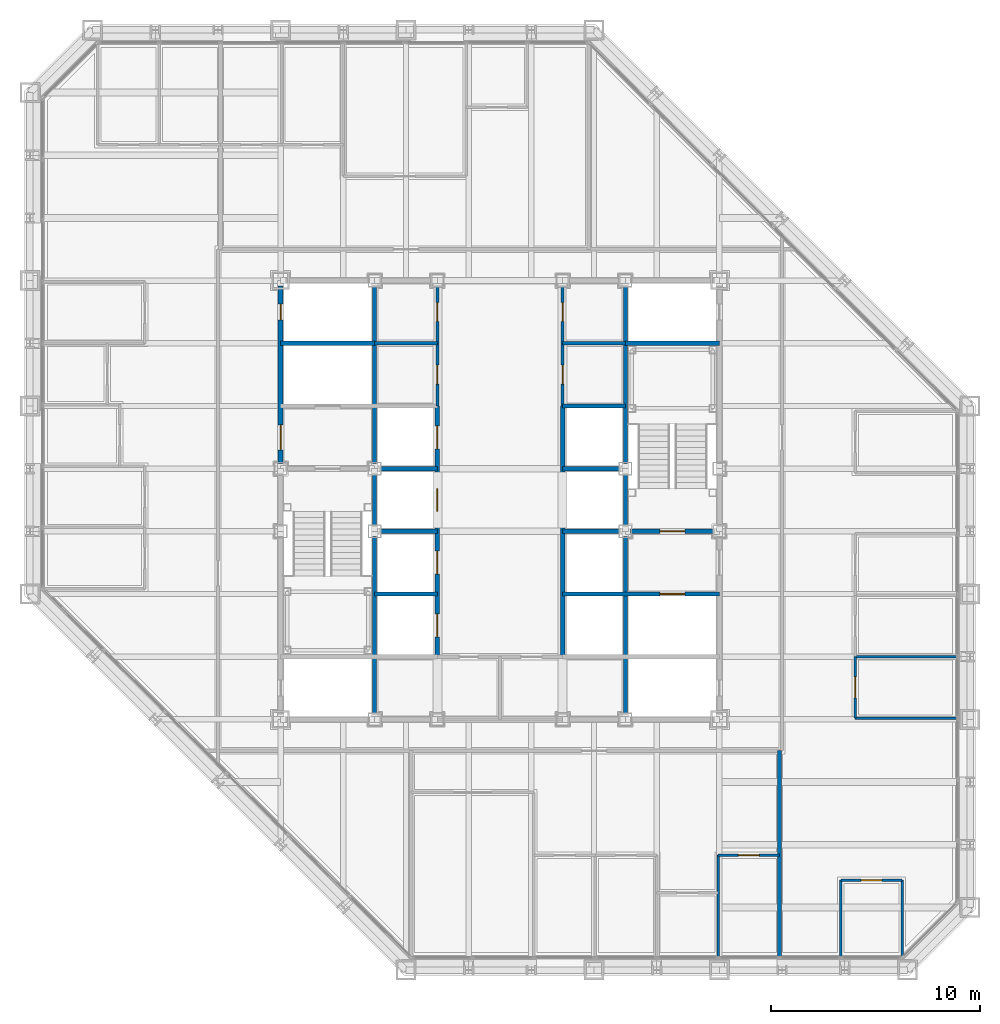
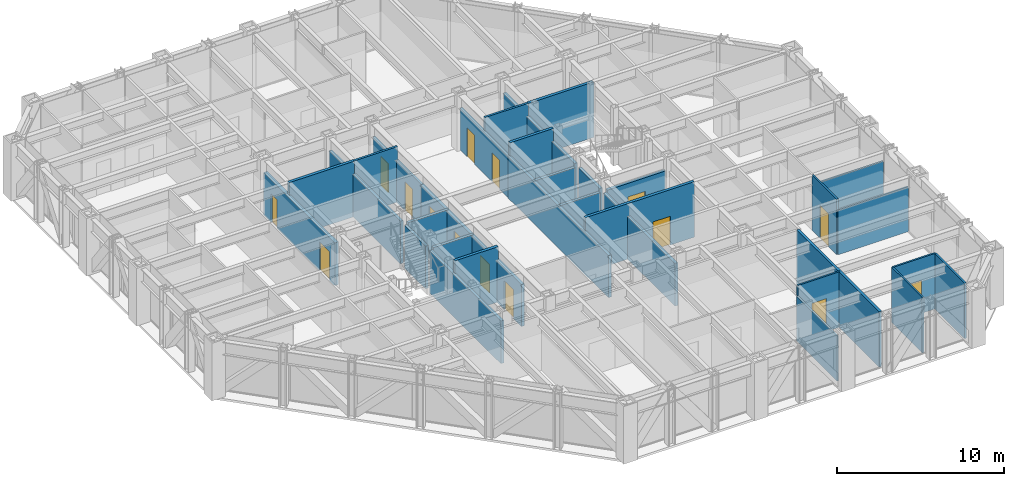
# One storey, part 11 of 16: 32 walls, 15 doors, 15 openings.
"""IFC4 building model written with IfcOpenShell, lengths in metres."""

from ifc_helpers import new_model, si_unit, direction, frame, frame_2d, origin, place, context, subcontext, project, spatial, rectangle, extrude, material, layer, layer_set, type_object, element, fill, save


model = new_model("IFC4")

# Units and contexts
model_context = context("Model", 3, precision=1e-05, world=origin(), true_north=direction((0.0, 1.0)))
body_context = subcontext(model_context, "Body", "Model", "MODEL_VIEW")
ifc_project = project(units=[si_unit("LENGTHUNIT", "METRE"), si_unit("AREAUNIT", "SQUARE_METRE"), si_unit("VOLUMEUNIT", "CUBIC_METRE"), si_unit("PLANEANGLEUNIT", "RADIAN"), si_unit("MASSUNIT", "GRAM", prefix="KILO")], contexts=[model_context])

# Site, building, storey
site_placement = place(None, origin())
site = spatial("IfcSite", under=ifc_project, at=site_placement, CompositionType="ELEMENT")
building_placement = place(site_placement, origin())
building = spatial("IfcBuilding", under=site, at=building_placement, Name="Chuquiago Exchange Tower", CompositionType="ELEMENT")
storey_placement = place(building_placement, frame((0.0, 0.0, 140.39990234375)))
storey = spatial("IfcBuildingStorey", under=building, at=storey_placement, Name="L30", CompositionType="ELEMENT", Elevation=140.39990234375)

# Wall, openings, doors
ifc_material_1 = material(Name="Concrete masonry, fully grouted", Category="masonry")
ifc_layer_1 = layer(ifc_material_1, 0.25)
ifc_layer_set_1 = layer_set([ifc_layer_1], Name="W1 core wall 250")
wall_type_1 = type_object("IfcWallType", Name="W1 core wall 250", PredefinedType="SOLIDWALL", material=ifc_layer_set_1)
wall_1_placement = place(storey_placement, frame((12.0, 24.25, 0.0), z_axis=(0.0, 0.0, 1.0), x_axis=(0.0, 1.0, 0.0)))
wall_1 = element("IfcWall", 1, at=wall_1_placement, inside=storey, type_object=wall_type_1, Name="CW-L30-00-2", PredefinedType="SOLIDWALL", context=body_context, shape_type="SweptSolid", body=[
    extrude(rectangle(XDim=8.5, YDim=0.25, at=frame_2d((4.25, 0.0))), origin(), (0.0, 0.0, 1.0), 3.113037109375),
])
opening_1_placement = place(wall_1_placement, frame((0.64990234375, 0.0, 0.0)))
opening_1 = element("IfcOpeningElement", 2, at=opening_1_placement, cuts=wall_1, Name="Opening L30-002", PredefinedType="OPENING", context=body_context, shape_type="SweptSolid", body=[
    extrude(rectangle(XDim=1.199951171875, YDim=2.10009765625, at=frame_2d((0.60009765625, 1.050048828125))), frame((0.0, 0.135009765625, 0.0), z_axis=(0.0, -1.0, 0.0), x_axis=(1.0, 0.0, 0.0)), (0.0, 0.0, 1.0), 0.27001953125),
])
opening_2_placement = place(wall_1_placement, frame((6.875, 0.0, 0.0)))
opening_2 = element("IfcOpeningElement", 3, at=opening_2_placement, cuts=wall_1, Name="Opening L30-008", PredefinedType="OPENING", context=body_context, shape_type="SweptSolid", body=[
    extrude(rectangle(XDim=0.75, YDim=2.10009765625, at=frame_2d((0.375, 1.050048828125))), frame((0.0, 0.135009765625, 0.0), z_axis=(0.0, -1.0, 0.0), x_axis=(1.0, 0.0, 0.0)), (0.0, 0.0, 1.0), 0.27001953125),
])
ifc_material_2 = material(Name="Steel door, painted", Category="steel")
door_type_1 = type_object("IfcDoorType", Name="D5 firefighting lobby door 1200x2100", OperationType="SINGLE_SWING_LEFT", PredefinedType="DOOR", material=ifc_material_2)
door_1_placement = place(opening_1_placement, frame((1.199951171875, 0.0, 0.0), z_axis=(0.0, 0.0, 1.0), x_axis=(-1.0, 0.0, 0.0)))
door_1 = element("IfcDoor", 4, at=door_1_placement, inside=storey, type_object=door_type_1, Name="Firefighting lobby 1 door", OperationType="SINGLE_SWING_RIGHT", OverallHeight=2.10009765625, OverallWidth=1.199951171875, PredefinedType="DOOR", context=body_context, shape_type="SweptSolid", body=[
    extrude(rectangle(XDim=1.199951171875, YDim=2.10009765625, at=frame_2d((0.60009765625, 1.050048828125))), frame((0.0, 0.02490234375, 0.0), z_axis=(0.0, -1.0, 0.0), x_axis=(1.0, 0.0, 0.0)), (0.0, 0.0, 1.0), 0.050048828125),
])
fill(opening_1, door_1)
ifc_material_3 = material(Name="Steel door, painted", Category="steel")
door_type_2 = type_object("IfcDoorType", Name="D6 riser access door 750x2100", OperationType="SINGLE_SWING_LEFT", PredefinedType="DOOR", material=ifc_material_3)
door_2_placement = place(opening_2_placement, origin())
door_2 = element("IfcDoor", 5, at=door_2_placement, inside=storey, type_object=door_type_2, Name="Riser RW2 door", OperationType="SINGLE_SWING_RIGHT", OverallHeight=2.10009765625, OverallWidth=0.75, PredefinedType="DOOR", context=body_context, shape_type="SweptSolid", body=[
    extrude(rectangle(XDim=0.75, YDim=2.10009765625, at=frame_2d((0.375, 1.050048828125))), frame((0.0, 0.02490234375, 0.0), z_axis=(0.0, -1.0, 0.0), x_axis=(1.0, 0.0, 0.0)), (0.0, 0.0, 1.0), 0.050048828125),
])
fill(opening_2, door_2)

# Walls
ifc_material_4 = material(Name="Gypsum board on twin steel studs, acoustic insulation", Category="steel")
ifc_layer_2 = layer(ifc_material_4, 0.175048828125)
ifc_layer_set_2 = layer_set([ifc_layer_2], Name="W12 tenant demising wall 175")
wall_type_2 = type_object("IfcWallType", Name="W12 tenant demising wall 175", PredefinedType="PARTITIONING", material=ifc_layer_set_2)
wall_2_placement = place(storey_placement, frame((35.875732421875, 0.652587890625, 0.0), z_axis=(0.0, 0.0, 1.0), x_axis=(0.0, 1.0, 0.0)))
element("IfcWall", 6, at=wall_2_placement, inside=storey, type_object=wall_type_2, Name="PW-L30-DS03588", PredefinedType="PARTITIONING", context=body_context, shape_type="SweptSolid", body=[
    extrude(rectangle(XDim=9.847412109375, YDim=0.175048828125, at=frame_2d((4.923828125, 0.0))), origin(), (0.0, 0.0, 1.0), 4.0400390625),
])
ifc_material_5 = material(Name="Concrete masonry, fully grouted", Category="masonry")
ifc_layer_3 = layer(ifc_material_5, 0.199951171875)
ifc_layer_set_3 = layer_set([ifc_layer_3], Name="W2 shaft wall 200")
wall_type_3 = type_object("IfcWallType", Name="W2 shaft wall 200", PredefinedType="SOLIDWALL", material=ifc_layer_set_3)
for number, where, z_axis, x_axis, name in (
    (7, (16.75, 24.0, 0.0), (0.0, 0.0, 1.0), (1.0, 0.0, 0.0), "CW-L30-05-1"),
    (8, (25.5, 24.0, 0.0), (0.0, 0.0, 1.0), (1.0, 0.0, 0.0), "CW-L30-06-0"),
):
    element("IfcWall", number, at=place(storey_placement, frame(where, z_axis=z_axis, x_axis=x_axis)), inside=storey, type_object=wall_type_3, Name=name, PredefinedType="SOLIDWALL", context=body_context, shape_type="SweptSolid", body=[
        extrude(rectangle(XDim=2.75, YDim=0.199951171875, at=frame_2d((1.375, 0.0))), origin(), (0.0, 0.0, 1.0), 3.090087890625),
    ])
wall_3_placement = place(storey_placement, frame((25.5, 27.0, 0.0), z_axis=(0.0, 0.0, 1.0), x_axis=(1.0, 0.0, 0.0)))
element("IfcWall", 9, at=wall_3_placement, inside=storey, type_object=wall_type_3, Name="CW-L30-08-0", PredefinedType="SOLIDWALL", context=body_context, shape_type="SweptSolid", body=[
    extrude(rectangle(XDim=3.0, YDim=0.199951171875, at=frame_2d((1.5, 0.0))), origin(), (0.0, 0.0, 1.0), 4.0400390625),
])
for number, where, z_axis, x_axis, name in (
    (10, (12.0, 30.0, 0.0), (0.0, 0.0, 1.0), (1.0, 0.0, 0.0), "CW-L30-09-0"),
    (11, (28.5, 30.0, 0.0), (0.0, 0.0, 1.0), (1.0, 0.0, 0.0), "CW-L30-10-0"),
):
    element("IfcWall", number, at=place(storey_placement, frame(where, z_axis=z_axis, x_axis=x_axis)), inside=storey, type_object=wall_type_3, Name=name, PredefinedType="SOLIDWALL", context=body_context, shape_type="SweptSolid", body=[
        extrude(rectangle(XDim=4.5, YDim=0.199951171875, at=frame_2d((2.25, 0.0))), origin(), (0.0, 0.0, 1.0), 4.0400390625),
    ])
wall_4_placement = place(storey_placement, frame((16.5, 12.25, 0.0), z_axis=(0.0, 0.0, 1.0), x_axis=(0.0, 1.0, 0.0)))
element("IfcWall", 12, at=wall_4_placement, inside=storey, type_object=wall_type_3, Name="CW-L30-13-0", PredefinedType="SOLIDWALL", context=body_context, shape_type="SweptSolid", body=[
    extrude(rectangle(XDim=8.5, YDim=0.199951171875, at=frame_2d((4.25, 0.0))), origin(), (0.0, 0.0, 1.0), 3.113037109375),
])
wall_5_placement = place(storey_placement, frame((16.5, 21.25, 0.0), z_axis=(0.0, 0.0, 1.0), x_axis=(0.0, 1.0, 0.0)))
element("IfcWall", 13, at=wall_5_placement, inside=storey, type_object=wall_type_3, Name="CW-L30-13-1", PredefinedType="SOLIDWALL", context=body_context, shape_type="SweptSolid", body=[
    extrude(rectangle(XDim=2.5, YDim=0.199951171875, at=frame_2d((1.25, 0.0))), origin(), (0.0, 0.0, 1.0), 3.113037109375),
])
wall_6_placement = place(storey_placement, frame((16.5, 24.25, 0.0), z_axis=(0.0, 0.0, 1.0), x_axis=(0.0, 1.0, 0.0)))
element("IfcWall", 14, at=wall_6_placement, inside=storey, type_object=wall_type_3, Name="CW-L30-13-2", PredefinedType="SOLIDWALL", context=body_context, shape_type="SweptSolid", body=[
    extrude(rectangle(XDim=8.5, YDim=0.199951171875, at=frame_2d((4.25, 0.0))), origin(), (0.0, 0.0, 1.0), 3.113037109375),
])
wall_7_placement = place(storey_placement, frame((16.5, 18.0, 0.0), z_axis=(0.0, 0.0, 1.0), x_axis=(1.0, 0.0, 0.0)))
element("IfcWall", 15, at=wall_7_placement, inside=storey, type_object=wall_type_3, Name="CW-L30-14-0", PredefinedType="SOLIDWALL", context=body_context, shape_type="SweptSolid", body=[
    extrude(rectangle(XDim=3.0, YDim=0.199951171875, at=frame_2d((1.5, 0.0))), origin(), (0.0, 0.0, 1.0), 4.0400390625),
])

# Wall, opening, door
wall_8_placement = place(storey_placement, frame((25.5, 18.0, 0.0), z_axis=(0.0, 0.0, 1.0), x_axis=(1.0, 0.0, 0.0)))
wall_8 = element("IfcWall", 16, at=wall_8_placement, inside=storey, type_object=wall_type_3, Name="CW-L30-15-0", PredefinedType="SOLIDWALL", context=body_context, shape_type="SweptSolid", body=[
    extrude(rectangle(XDim=7.5, YDim=0.199951171875, at=frame_2d((3.75, 0.0))), origin(), (0.0, 0.0, 1.0), 4.0400390625),
])
opening_3_placement = place(wall_8_placement, frame((4.64990234375, 0.0, 0.0)))
opening_3 = element("IfcOpeningElement", 17, at=opening_3_placement, cuts=wall_8, Name="Opening L30-006", PredefinedType="OPENING", context=body_context, shape_type="SweptSolid", body=[
    extrude(rectangle(XDim=1.199951171875, YDim=2.10009765625, at=frame_2d((0.60009765625, 1.050048828125))), frame((0.0, 0.10986328125, 0.0), z_axis=(0.0, -1.0, 0.0), x_axis=(1.0, 0.0, 0.0)), (0.0, 0.0, 1.0), 0.219970703125),
])
ifc_material_6 = material(Name="Stainless steel lift landing door", Category="steel")
door_type_3 = type_object("IfcDoorType", Name="LD2 firefighting lift landing door 1200x2100", OperationType="DOUBLE_DOOR_SLIDING", PredefinedType="DOOR", material=ifc_material_6)
door_3_placement = place(opening_3_placement, origin())
door_3 = element("IfcDoor", 18, at=door_3_placement, inside=storey, type_object=door_type_3, Name="Firefighting lift FL2 landing door", OperationType="DOUBLE_DOOR_SLIDING", OverallHeight=2.10009765625, OverallWidth=1.199951171875, PredefinedType="DOOR", context=body_context, shape_type="SweptSolid", body=[
    extrude(rectangle(XDim=1.199951171875, YDim=2.10009765625, at=frame_2d((0.60009765625, 1.050048828125))), frame((0.0, 0.02490234375, 0.0), z_axis=(0.0, -1.0, 0.0), x_axis=(1.0, 0.0, 0.0)), (0.0, 0.0, 1.0), 0.050048828125),
])
fill(opening_3, door_3)

# Walls
for number, where, z_axis, x_axis, name in (
    (19, (16.75, 21.0, 0.0), (0.0, 0.0, 1.0), (1.0, 0.0, 0.0), "CW-L30-16-0"),
    (20, (25.5, 21.0, 0.0), (0.0, 0.0, 1.0), (1.0, 0.0, 0.0), "CW-L30-17-0"),
):
    element("IfcWall", number, at=place(storey_placement, frame(where, z_axis=z_axis, x_axis=x_axis)), inside=storey, type_object=wall_type_3, Name=name, PredefinedType="SOLIDWALL", context=body_context, shape_type="SweptSolid", body=[
        extrude(rectangle(XDim=2.75, YDim=0.199951171875, at=frame_2d((1.375, 0.0))), origin(), (0.0, 0.0, 1.0), 3.090087890625),
    ])

# Wall, opening, door
wall_9_placement = place(storey_placement, frame((28.75, 21.0, 0.0), z_axis=(0.0, 0.0, 1.0), x_axis=(1.0, 0.0, 0.0)))
wall_9 = element("IfcWall", 21, at=wall_9_placement, inside=storey, type_object=wall_type_3, Name="CW-L30-17-1", PredefinedType="SOLIDWALL", context=body_context, shape_type="SweptSolid", body=[
    extrude(rectangle(XDim=4.0, YDim=0.199951171875, at=frame_2d((2.0, 0.0))), origin(), (0.0, 0.0, 1.0), 3.090087890625),
])
opening_4_placement = place(wall_9_placement, frame((1.39990234375, 0.0, 0.0)))
opening_4 = element("IfcOpeningElement", 22, at=opening_4_placement, cuts=wall_9, Name="Opening L30-003", PredefinedType="OPENING", context=body_context, shape_type="SweptSolid", body=[
    extrude(rectangle(XDim=1.199951171875, YDim=2.10009765625, at=frame_2d((0.60009765625, 1.050048828125))), frame((0.0, 0.10986328125, 0.0), z_axis=(0.0, -1.0, 0.0), x_axis=(1.0, 0.0, 0.0)), (0.0, 0.0, 1.0), 0.219970703125),
])
ifc_material_7 = material(Name="Steel door, painted", Category="steel")
door_type_4 = type_object("IfcDoorType", Name="D4 stair door 1200x2100", OperationType="SINGLE_SWING_LEFT", PredefinedType="DOOR", material=ifc_material_7)
door_4_placement = place(opening_4_placement, origin())
door_4 = element("IfcDoor", 23, at=door_4_placement, inside=storey, type_object=door_type_4, Name="Stair ST2 door", OperationType="SINGLE_SWING_LEFT", OverallHeight=2.10009765625, OverallWidth=1.199951171875, PredefinedType="DOOR", context=body_context, shape_type="SweptSolid", body=[
    extrude(rectangle(XDim=1.199951171875, YDim=2.10009765625, at=frame_2d((0.60009765625, 1.050048828125))), frame((0.0, 0.02490234375, 0.0), z_axis=(0.0, -1.0, 0.0), x_axis=(1.0, 0.0, 0.0)), (0.0, 0.0, 1.0), 0.050048828125),
])
fill(opening_4, door_4)

# Wall, openings, doors
wall_10_placement = place(storey_placement, frame((19.5, 15.0, 0.0), z_axis=(0.0, 0.0, 1.0), x_axis=(0.0, 1.0, 0.0)))
wall_10 = element("IfcWall", 24, at=wall_10_placement, inside=storey, type_object=wall_type_3, Name="CW-L30-19-0", PredefinedType="SOLIDWALL", context=body_context, shape_type="SweptSolid", body=[
    extrude(rectangle(XDim=12.0, YDim=0.199951171875, at=frame_2d((6.0, 0.0))), origin(), (0.0, 0.0, 1.0), 3.064697265625),
])
opening_5_placement = place(wall_10_placement, frame((0.949951171875, 0.0, 0.0)))
opening_5 = element("IfcOpeningElement", 25, at=opening_5_placement, cuts=wall_10, Name="Opening L30-017", PredefinedType="OPENING", context=body_context, shape_type="SweptSolid", body=[
    extrude(rectangle(XDim=1.10009765625, YDim=2.10009765625, at=frame_2d((0.550048828125, 1.050048828125))), frame((0.0, 0.10986328125, 0.0), z_axis=(0.0, -1.0, 0.0), x_axis=(1.0, 0.0, 0.0)), (0.0, 0.0, 1.0), 0.219970703125),
])
opening_6_placement = place(wall_10_placement, frame((3.949951171875, 0.0, 0.0)))
opening_6 = element("IfcOpeningElement", 26, at=opening_6_placement, cuts=wall_10, Name="Opening L30-018", PredefinedType="OPENING", context=body_context, shape_type="SweptSolid", body=[
    extrude(rectangle(XDim=1.10009765625, YDim=2.10009765625, at=frame_2d((0.550048828125, 1.050048828125))), frame((0.0, 0.10986328125, 0.0), z_axis=(0.0, -1.0, 0.0), x_axis=(1.0, 0.0, 0.0)), (0.0, 0.0, 1.0), 0.219970703125),
])
opening_7_placement = place(wall_10_placement, frame((6.949951171875, 0.0, 0.0)))
opening_7 = element("IfcOpeningElement", 27, at=opening_7_placement, cuts=wall_10, Name="Opening L30-019", PredefinedType="OPENING", context=body_context, shape_type="SweptSolid", body=[
    extrude(rectangle(XDim=1.10009765625, YDim=2.10009765625, at=frame_2d((0.550048828125, 1.050048828125))), frame((0.0, 0.10986328125, 0.0), z_axis=(0.0, -1.0, 0.0), x_axis=(1.0, 0.0, 0.0)), (0.0, 0.0, 1.0), 0.219970703125),
])
opening_8_placement = place(wall_10_placement, frame((9.949951171875, 0.0, 0.0)))
opening_8 = element("IfcOpeningElement", 28, at=opening_8_placement, cuts=wall_10, Name="Opening L30-020", PredefinedType="OPENING", context=body_context, shape_type="SweptSolid", body=[
    extrude(rectangle(XDim=1.10009765625, YDim=2.10009765625, at=frame_2d((0.550048828125, 1.050048828125))), frame((0.0, 0.10986328125, 0.0), z_axis=(0.0, -1.0, 0.0), x_axis=(1.0, 0.0, 0.0)), (0.0, 0.0, 1.0), 0.219970703125),
])
ifc_material_8 = material(Name="Stainless steel lift landing door", Category="steel")
door_type_5 = type_object("IfcDoorType", Name="LD1 lift landing door 1100x2100", OperationType="DOUBLE_DOOR_SLIDING", PredefinedType="DOOR", material=ifc_material_8)
door_5_placement = place(opening_5_placement, origin())
door_5 = element("IfcDoor", 29, at=door_5_placement, inside=storey, type_object=door_type_5, Name="Lift LB1 landing door", OperationType="DOUBLE_DOOR_SLIDING", OverallHeight=2.10009765625, OverallWidth=1.10009765625, PredefinedType="DOOR", context=body_context, shape_type="SweptSolid", body=[
    extrude(rectangle(XDim=1.10009765625, YDim=2.10009765625, at=frame_2d((0.550048828125, 1.050048828125))), frame((0.0, 0.02490234375, 0.0), z_axis=(0.0, -1.0, 0.0), x_axis=(1.0, 0.0, 0.0)), (0.0, 0.0, 1.0), 0.050048828125),
])
fill(opening_5, door_5)
door_6_placement = place(opening_6_placement, origin())
door_6 = element("IfcDoor", 30, at=door_6_placement, inside=storey, type_object=door_type_5, Name="Lift LB2 landing door", OperationType="DOUBLE_DOOR_SLIDING", OverallHeight=2.10009765625, OverallWidth=1.10009765625, PredefinedType="DOOR", context=body_context, shape_type="SweptSolid", body=[
    extrude(rectangle(XDim=1.10009765625, YDim=2.10009765625, at=frame_2d((0.550048828125, 1.050048828125))), frame((0.0, 0.02490234375, 0.0), z_axis=(0.0, -1.0, 0.0), x_axis=(1.0, 0.0, 0.0)), (0.0, 0.0, 1.0), 0.050048828125),
])
fill(opening_6, door_6)
door_7_placement = place(opening_7_placement, origin())
door_7 = element("IfcDoor", 31, at=door_7_placement, inside=storey, type_object=door_type_5, Name="Lift LB3 landing door", OperationType="DOUBLE_DOOR_SLIDING", OverallHeight=2.10009765625, OverallWidth=1.10009765625, PredefinedType="DOOR", context=body_context, shape_type="SweptSolid", body=[
    extrude(rectangle(XDim=1.10009765625, YDim=2.10009765625, at=frame_2d((0.550048828125, 1.050048828125))), frame((0.0, 0.02490234375, 0.0), z_axis=(0.0, -1.0, 0.0), x_axis=(1.0, 0.0, 0.0)), (0.0, 0.0, 1.0), 0.050048828125),
])
fill(opening_7, door_7)
door_8_placement = place(opening_8_placement, origin())
door_8 = element("IfcDoor", 32, at=door_8_placement, inside=storey, type_object=door_type_5, Name="Lift LB4 landing door", OperationType="DOUBLE_DOOR_SLIDING", OverallHeight=2.10009765625, OverallWidth=1.10009765625, PredefinedType="DOOR", context=body_context, shape_type="SweptSolid", body=[
    extrude(rectangle(XDim=1.10009765625, YDim=2.10009765625, at=frame_2d((0.550048828125, 1.050048828125))), frame((0.0, 0.02490234375, 0.0), z_axis=(0.0, -1.0, 0.0), x_axis=(1.0, 0.0, 0.0)), (0.0, 0.0, 1.0), 0.050048828125),
])
fill(opening_8, door_8)

# Walls
wall_11_placement = place(storey_placement, frame((25.5, 15.0, 0.0), z_axis=(0.0, 0.0, 1.0), x_axis=(0.0, 1.0, 0.0)))
element("IfcWall", 33, at=wall_11_placement, inside=storey, type_object=wall_type_3, Name="CW-L30-22-0", PredefinedType="SOLIDWALL", context=body_context, shape_type="SweptSolid", body=[
    extrude(rectangle(XDim=12.0, YDim=0.199951171875, at=frame_2d((6.0, 0.0))), origin(), (0.0, 0.0, 1.0), 3.064697265625),
])
wall_12_placement = place(storey_placement, frame((28.5, 12.25, 0.0), z_axis=(0.0, 0.0, 1.0), x_axis=(0.0, 1.0, 0.0)))
element("IfcWall", 34, at=wall_12_placement, inside=storey, type_object=wall_type_3, Name="CW-L30-24-0", PredefinedType="SOLIDWALL", context=body_context, shape_type="SweptSolid", body=[
    extrude(rectangle(XDim=8.5, YDim=0.199951171875, at=frame_2d((4.25, 0.0))), origin(), (0.0, 0.0, 1.0), 3.113037109375),
])
wall_13_placement = place(storey_placement, frame((28.5, 21.25, 0.0), z_axis=(0.0, 0.0, 1.0), x_axis=(0.0, 1.0, 0.0)))
element("IfcWall", 35, at=wall_13_placement, inside=storey, type_object=wall_type_3, Name="CW-L30-24-1", PredefinedType="SOLIDWALL", context=body_context, shape_type="SweptSolid", body=[
    extrude(rectangle(XDim=2.5, YDim=0.199951171875, at=frame_2d((1.25, 0.0))), origin(), (0.0, 0.0, 1.0), 3.113037109375),
])
wall_14_placement = place(storey_placement, frame((28.5, 24.25, 0.0), z_axis=(0.0, 0.0, 1.0), x_axis=(0.0, 1.0, 0.0)))
element("IfcWall", 36, at=wall_14_placement, inside=storey, type_object=wall_type_3, Name="CW-L30-24-2", PredefinedType="SOLIDWALL", context=body_context, shape_type="SweptSolid", body=[
    extrude(rectangle(XDim=8.5, YDim=0.199951171875, at=frame_2d((4.25, 0.0))), origin(), (0.0, 0.0, 1.0), 3.113037109375),
])

# Wall, openings, doors
ifc_material_9 = material(Name="Gypsum board on steel studs", Category="steel")
ifc_layer_4 = layer(ifc_material_9, 0.14990234375)
ifc_layer_set_4 = layer_set([ifc_layer_4], Name="W3 core partition 150")
wall_type_4 = type_object("IfcWallType", Name="W3 core partition 150", PredefinedType="PARTITIONING", material=ifc_layer_set_4)
wall_15_placement = place(storey_placement, frame((19.5, 27.0, 0.0), z_axis=(0.0, 0.0, 1.0), x_axis=(0.0, 1.0, 0.0)))
wall_15 = element("IfcWall", 37, at=wall_15_placement, inside=storey, type_object=wall_type_4, Name="CW-L30-20-0", PredefinedType="PARTITIONING", context=body_context, shape_type="SweptSolid", body=[
    extrude(rectangle(XDim=5.75, YDim=0.14990234375, at=frame_2d((2.875, 0.0))), origin(), (0.0, 0.0, 1.0), 3.064697265625),
])
opening_9_placement = place(wall_15_placement, frame((1.050048828125, 0.0, 0.0)))
opening_9 = element("IfcOpeningElement", 38, at=opening_9_placement, cuts=wall_15, Name="Opening L30-011", PredefinedType="OPENING", context=body_context, shape_type="SweptSolid", body=[
    extrude(rectangle(XDim=0.89990234375, YDim=2.10009765625, at=frame_2d((0.449951171875, 1.050048828125))), frame((0.0, 0.0849609375, 0.0), z_axis=(0.0, -1.0, 0.0), x_axis=(1.0, 0.0, 0.0)), (0.0, 0.0, 1.0), 0.169921875),
])
opening_10_placement = place(wall_15_placement, frame((4.050048828125, 0.0, 0.0)))
opening_10 = element("IfcOpeningElement", 39, at=opening_10_placement, cuts=wall_15, Name="Opening L30-012", PredefinedType="OPENING", context=body_context, shape_type="SweptSolid", body=[
    extrude(rectangle(XDim=0.89990234375, YDim=2.10009765625, at=frame_2d((0.449951171875, 1.050048828125))), frame((0.0, 0.0849609375, 0.0), z_axis=(0.0, -1.0, 0.0), x_axis=(1.0, 0.0, 0.0)), (0.0, 0.0, 1.0), 0.169921875),
])
ifc_material_10 = material(Name="Timber door, laminate faced", Category="wood")
door_type_6 = type_object("IfcDoorType", Name="D16 core room door 900x2100", OperationType="SINGLE_SWING_LEFT", PredefinedType="DOOR", material=ifc_material_10)
door_9_placement = place(opening_10_placement, origin())
door_9 = element("IfcDoor", 40, at=door_9_placement, inside=storey, type_object=door_type_6, Name="Staff shower room door", OperationType="SINGLE_SWING_RIGHT", OverallHeight=2.10009765625, OverallWidth=0.89990234375, PredefinedType="DOOR", context=body_context, shape_type="SweptSolid", body=[
    extrude(rectangle(XDim=0.89990234375, YDim=2.10009765625, at=frame_2d((0.449951171875, 1.050048828125))), frame((0.0, 0.02490234375, 0.0), z_axis=(0.0, -1.0, 0.0), x_axis=(1.0, 0.0, 0.0)), (0.0, 0.0, 1.0), 0.050048828125),
])
fill(opening_10, door_9)
ifc_material_11 = material(Name="Timber door, laminate faced", Category="wood")
door_type_7 = type_object("IfcDoorType", Name="D7 toilet door 900x2100", OperationType="SINGLE_SWING_LEFT", PredefinedType="DOOR", material=ifc_material_11)
door_10_placement = place(opening_9_placement, origin())
door_10 = element("IfcDoor", 41, at=door_10_placement, inside=storey, type_object=door_type_7, Name="Male WC door", OperationType="SINGLE_SWING_LEFT", OverallHeight=2.10009765625, OverallWidth=0.89990234375, PredefinedType="DOOR", context=body_context, shape_type="SweptSolid", body=[
    extrude(rectangle(XDim=0.89990234375, YDim=2.10009765625, at=frame_2d((0.449951171875, 1.050048828125))), frame((0.0, 0.02490234375, 0.0), z_axis=(0.0, -1.0, 0.0), x_axis=(1.0, 0.0, 0.0)), (0.0, 0.0, 1.0), 0.050048828125),
])
fill(opening_9, door_10)

wall_16_placement = place(storey_placement, frame((25.5, 27.0, 0.0), z_axis=(0.0, 0.0, 1.0), x_axis=(0.0, 1.0, 0.0)))
wall_16 = element("IfcWall", 42, at=wall_16_placement, inside=storey, type_object=wall_type_4, Name="CW-L30-23-0", PredefinedType="PARTITIONING", context=body_context, shape_type="SweptSolid", body=[
    extrude(rectangle(XDim=5.75, YDim=0.14990234375, at=frame_2d((2.875, 0.0))), origin(), (0.0, 0.0, 1.0), 3.064697265625),
])
opening_11_placement = place(wall_16_placement, frame((1.050048828125, 0.0, 0.0)))
opening_11 = element("IfcOpeningElement", 43, at=opening_11_placement, cuts=wall_16, Name="Opening L30-013", PredefinedType="OPENING", context=body_context, shape_type="SweptSolid", body=[
    extrude(rectangle(XDim=0.89990234375, YDim=2.10009765625, at=frame_2d((0.449951171875, 1.050048828125))), frame((0.0, 0.0849609375, 0.0), z_axis=(0.0, -1.0, 0.0), x_axis=(1.0, 0.0, 0.0)), (0.0, 0.0, 1.0), 0.169921875),
])
opening_12_placement = place(wall_16_placement, frame((4.050048828125, 0.0, 0.0)))
opening_12 = element("IfcOpeningElement", 44, at=opening_12_placement, cuts=wall_16, Name="Opening L30-014", PredefinedType="OPENING", context=body_context, shape_type="SweptSolid", body=[
    extrude(rectangle(XDim=0.89990234375, YDim=2.10009765625, at=frame_2d((0.449951171875, 1.050048828125))), frame((0.0, 0.0849609375, 0.0), z_axis=(0.0, -1.0, 0.0), x_axis=(1.0, 0.0, 0.0)), (0.0, 0.0, 1.0), 0.169921875),
])
door_11_placement = place(opening_12_placement, frame((0.89990234375, 0.0, 0.0), z_axis=(0.0, 0.0, 1.0), x_axis=(-1.0, 0.0, 0.0)))
door_11 = element("IfcDoor", 45, at=door_11_placement, inside=storey, type_object=door_type_6, Name="Baby change room door", OperationType="SINGLE_SWING_LEFT", OverallHeight=2.10009765625, OverallWidth=0.89990234375, PredefinedType="DOOR", context=body_context, shape_type="SweptSolid", body=[
    extrude(rectangle(XDim=0.89990234375, YDim=2.10009765625, at=frame_2d((0.449951171875, 1.050048828125))), frame((0.0, 0.02490234375, 0.0), z_axis=(0.0, -1.0, 0.0), x_axis=(1.0, 0.0, 0.0)), (0.0, 0.0, 1.0), 0.050048828125),
])
fill(opening_12, door_11)
door_12_placement = place(opening_11_placement, frame((0.89990234375, 0.0, 0.0), z_axis=(0.0, 0.0, 1.0), x_axis=(-1.0, 0.0, 0.0)))
door_12 = element("IfcDoor", 46, at=door_12_placement, inside=storey, type_object=door_type_7, Name="Female WC door", OperationType="SINGLE_SWING_RIGHT", OverallHeight=2.10009765625, OverallWidth=0.89990234375, PredefinedType="DOOR", context=body_context, shape_type="SweptSolid", body=[
    extrude(rectangle(XDim=0.89990234375, YDim=2.10009765625, at=frame_2d((0.449951171875, 1.050048828125))), frame((0.0, 0.02490234375, 0.0), z_axis=(0.0, -1.0, 0.0), x_axis=(1.0, 0.0, 0.0)), (0.0, 0.0, 1.0), 0.050048828125),
])
fill(opening_11, door_12)

# Walls
for number, where, z_axis, x_axis, name in (
    (47, (16.5, 30.0, 0.0), (0.0, 0.0, 1.0), (1.0, 0.0, 0.0), "CW-L30-WCMS"),
    (48, (25.5, 30.0, 0.0), (0.0, 0.0, 1.0), (1.0, 0.0, 0.0), "CW-L30-WCFS"),
):
    element("IfcWall", number, at=place(storey_placement, frame(where, z_axis=z_axis, x_axis=x_axis)), inside=storey, type_object=wall_type_4, Name=name, PredefinedType="PARTITIONING", context=body_context, shape_type="SweptSolid", body=[
        extrude(rectangle(XDim=3.0, YDim=0.14990234375, at=frame_2d((1.5, 0.0))), origin(), (0.0, 0.0, 1.0), 4.0400390625),
    ])
ifc_material_12 = material(Name="Gypsum board on steel studs", Category="steel")
ifc_layer_5 = layer(ifc_material_12, 0.1201171875)
ifc_layer_set_5 = layer_set([ifc_layer_5], Name="W4 partition 120")
wall_type_5 = type_object("IfcWallType", Name="W4 partition 120", PredefinedType="PARTITIONING", material=ifc_layer_set_5)
wall_17_placement = place(storey_placement, frame((32.93798828125, 0.652587890625, 0.0), z_axis=(0.0, 0.0, 1.0), x_axis=(0.0, 1.0, 0.0)))
element("IfcWall", 49, at=wall_17_placement, inside=storey, type_object=wall_type_5, Name="PW-L30-S03294", PredefinedType="PARTITIONING", context=body_context, shape_type="SweptSolid", body=[
    extrude(rectangle(XDim=4.847412109375, YDim=0.1201171875, at=frame_2d((2.423828125, 0.0))), origin(), (0.0, 0.0, 1.0), 3.2705078125),
])
wall_18_placement = place(storey_placement, frame((38.813720703125, 0.652587890625, 0.0), z_axis=(0.0, 0.0, 1.0), x_axis=(0.0, 1.0, 0.0)))
element("IfcWall", 50, at=wall_18_placement, inside=storey, type_object=wall_type_5, Name="PW-L30-S03881", PredefinedType="PARTITIONING", context=body_context, shape_type="SweptSolid", body=[
    extrude(rectangle(XDim=3.6474609375, YDim=0.1201171875, at=frame_2d((1.82373046875, 0.0))), origin(), (0.0, 0.0, 1.0), 4.0400390625),
])
wall_19_placement = place(storey_placement, frame((41.75146484375, 0.666015625, 0.0), z_axis=(0.0, 0.0, 1.0), x_axis=(0.0, 1.0, 0.0)))
element("IfcWall", 51, at=wall_19_placement, inside=storey, type_object=wall_type_5, Name="PW-L30-S04175", PredefinedType="PARTITIONING", context=body_context, shape_type="SweptSolid", body=[
    extrude(rectangle(XDim=3.634033203125, YDim=0.1201171875, at=frame_2d((1.81689453125, 0.0))), origin(), (0.0, 0.0, 1.0), 4.0400390625),
])

# Wall, opening, door
wall_20_placement = place(storey_placement, frame((32.93798828125, 5.5, 0.0), z_axis=(0.0, 0.0, 1.0), x_axis=(1.0, 0.0, 0.0)))
wall_20 = element("IfcWall", 52, at=wall_20_placement, inside=storey, type_object=wall_type_5, Name="PW-L30-SF03294", PredefinedType="PARTITIONING", context=body_context, shape_type="SweptSolid", body=[
    extrude(rectangle(XDim=2.937744140625, YDim=0.1201171875, at=frame_2d((1.46875, 0.0))), origin(), (0.0, 0.0, 1.0), 4.0400390625),
])
opening_13_placement = place(wall_20_placement, frame((0.968994140625, 0.0, 0.0)))
opening_13 = element("IfcOpeningElement", 53, at=opening_13_placement, cuts=wall_20, Name="Opening L30-025", PredefinedType="OPENING", context=body_context, shape_type="SweptSolid", body=[
    extrude(rectangle(XDim=1.0, YDim=2.39990234375, at=frame_2d((0.5, 1.199951171875))), frame((0.0, 0.070068359375, 0.0), z_axis=(0.0, -1.0, 0.0), x_axis=(1.0, 0.0, 0.0)), (0.0, 0.0, 1.0), 0.14013671875),
])
ifc_material_13 = material(Name="Timber door, laminate faced", Category="wood")
door_type_8 = type_object("IfcDoorType", Name="D9 room door 1000x2400", OperationType="SINGLE_SWING_LEFT", PredefinedType="DOOR", material=ifc_material_13)
door_13_placement = place(opening_13_placement, frame((1.0, 0.0, 0.0), z_axis=(0.0, 0.0, 1.0), x_axis=(-1.0, 0.0, 0.0)))
door_13 = element("IfcDoor", 54, at=door_13_placement, inside=storey, type_object=door_type_8, Name="Office door", OperationType="SINGLE_SWING_LEFT", OverallHeight=2.39990234375, OverallWidth=1.0, PredefinedType="DOOR", context=body_context, shape_type="SweptSolid", body=[
    extrude(rectangle(XDim=1.0, YDim=2.39990234375, at=frame_2d((0.5, 1.199951171875))), frame((0.0, 0.02490234375, 0.0), z_axis=(0.0, -1.0, 0.0), x_axis=(1.0, 0.0, 0.0)), (0.0, 0.0, 1.0), 0.050048828125),
])
fill(opening_13, door_13)

wall_21_placement = place(storey_placement, frame((38.813720703125, 4.300048828125, 0.0), z_axis=(0.0, 0.0, 1.0), x_axis=(1.0, 0.0, 0.0)))
wall_21 = element("IfcWall", 55, at=wall_21_placement, inside=storey, type_object=wall_type_5, Name="PW-L30-SF03881", PredefinedType="PARTITIONING", context=body_context, shape_type="SweptSolid", body=[
    extrude(rectangle(XDim=2.937744140625, YDim=0.1201171875, at=frame_2d((1.46875, 0.0))), origin(), (0.0, 0.0, 1.0), 4.0400390625),
])
opening_14_placement = place(wall_21_placement, frame((0.968994140625, 0.0, 0.0)))
opening_14 = element("IfcOpeningElement", 56, at=opening_14_placement, cuts=wall_21, Name="Opening L30-026", PredefinedType="OPENING", context=body_context, shape_type="SweptSolid", body=[
    extrude(rectangle(XDim=1.0, YDim=2.39990234375, at=frame_2d((0.5, 1.199951171875))), frame((0.0, 0.070068359375, 0.0), z_axis=(0.0, -1.0, 0.0), x_axis=(1.0, 0.0, 0.0)), (0.0, 0.0, 1.0), 0.14013671875),
])
door_14_placement = place(opening_14_placement, frame((1.0, 0.0, 0.0), z_axis=(0.0, 0.0, 1.0), x_axis=(-1.0, 0.0, 0.0)))
door_14 = element("IfcDoor", 57, at=door_14_placement, inside=storey, type_object=door_type_8, Name="Pantry door", OperationType="SINGLE_SWING_RIGHT", OverallHeight=2.39990234375, OverallWidth=1.0, PredefinedType="DOOR", context=body_context, shape_type="SweptSolid", body=[
    extrude(rectangle(XDim=1.0, YDim=2.39990234375, at=frame_2d((0.5, 1.199951171875))), frame((0.0, 0.02490234375, 0.0), z_axis=(0.0, -1.0, 0.0), x_axis=(1.0, 0.0, 0.0)), (0.0, 0.0, 1.0), 0.050048828125),
])
fill(opening_14, door_14)

# Walls
wall_22_placement = place(storey_placement, frame((44.347412109375, 12.06201171875, 0.0), z_axis=(0.0, 0.0, 1.0), x_axis=(-1.0, 0.0, 0.0)))
element("IfcWall", 58, at=wall_22_placement, inside=storey, type_object=wall_type_5, Name="PW-L30-E01206", PredefinedType="PARTITIONING", context=body_context, shape_type="SweptSolid", body=[
    extrude(rectangle(XDim=4.847412109375, YDim=0.1201171875, at=frame_2d((2.423828125, 0.0))), origin(), (0.0, 0.0, 1.0), 3.2705078125),
])
wall_23_placement = place(storey_placement, frame((44.347412109375, 15.0, 0.0), z_axis=(0.0, 0.0, 1.0), x_axis=(-1.0, 0.0, 0.0)))
element("IfcWall", 59, at=wall_23_placement, inside=storey, type_object=wall_type_5, Name="PW-L30-E01500", PredefinedType="PARTITIONING", context=body_context, shape_type="SweptSolid", body=[
    extrude(rectangle(XDim=4.847412109375, YDim=0.1201171875, at=frame_2d((2.423828125, 0.0))), origin(), (0.0, 0.0, 1.0), 3.35693359375),
])

# Wall, opening, door
wall_24_placement = place(storey_placement, frame((39.5, 12.06201171875, 0.0), z_axis=(0.0, 0.0, 1.0), x_axis=(0.0, 1.0, 0.0)))
wall_24 = element("IfcWall", 60, at=wall_24_placement, inside=storey, type_object=wall_type_5, Name="PW-L30-EF01206", PredefinedType="PARTITIONING", context=body_context, shape_type="SweptSolid", body=[
    extrude(rectangle(XDim=2.93798828125, YDim=0.1201171875, at=frame_2d((1.468994140625, 0.0))), origin(), (0.0, 0.0, 1.0), 4.0400390625),
])
opening_15_placement = place(wall_24_placement, frame((0.968994140625, 0.0, 0.0)))
opening_15 = element("IfcOpeningElement", 61, at=opening_15_placement, cuts=wall_24, Name="Opening L30-027", PredefinedType="OPENING", context=body_context, shape_type="SweptSolid", body=[
    extrude(rectangle(XDim=1.0, YDim=2.39990234375, at=frame_2d((0.5, 1.199951171875))), frame((0.0, 0.070068359375, 0.0), z_axis=(0.0, -1.0, 0.0), x_axis=(1.0, 0.0, 0.0)), (0.0, 0.0, 1.0), 0.14013671875),
])
door_15_placement = place(opening_15_placement, frame((1.0, 0.0, 0.0), z_axis=(0.0, 0.0, 1.0), x_axis=(-1.0, 0.0, 0.0)))
door_15 = element("IfcDoor", 62, at=door_15_placement, inside=storey, type_object=door_type_8, Name="Office door", OperationType="SINGLE_SWING_LEFT", OverallHeight=2.39990234375, OverallWidth=1.0, PredefinedType="DOOR", context=body_context, shape_type="SweptSolid", body=[
    extrude(rectangle(XDim=1.0, YDim=2.39990234375, at=frame_2d((0.5, 1.199951171875))), frame((0.0, 0.02490234375, 0.0), z_axis=(0.0, -1.0, 0.0), x_axis=(1.0, 0.0, 0.0)), (0.0, 0.0, 1.0), 0.050048828125),
])
fill(opening_15, door_15)

save(model, "model.ifc")
